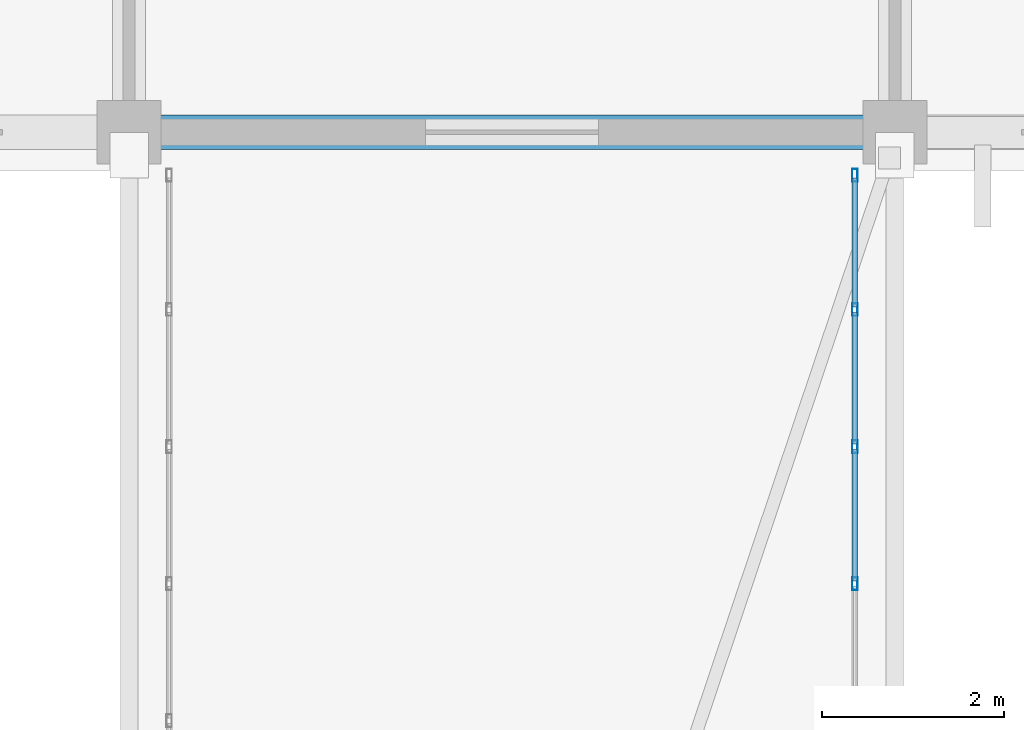
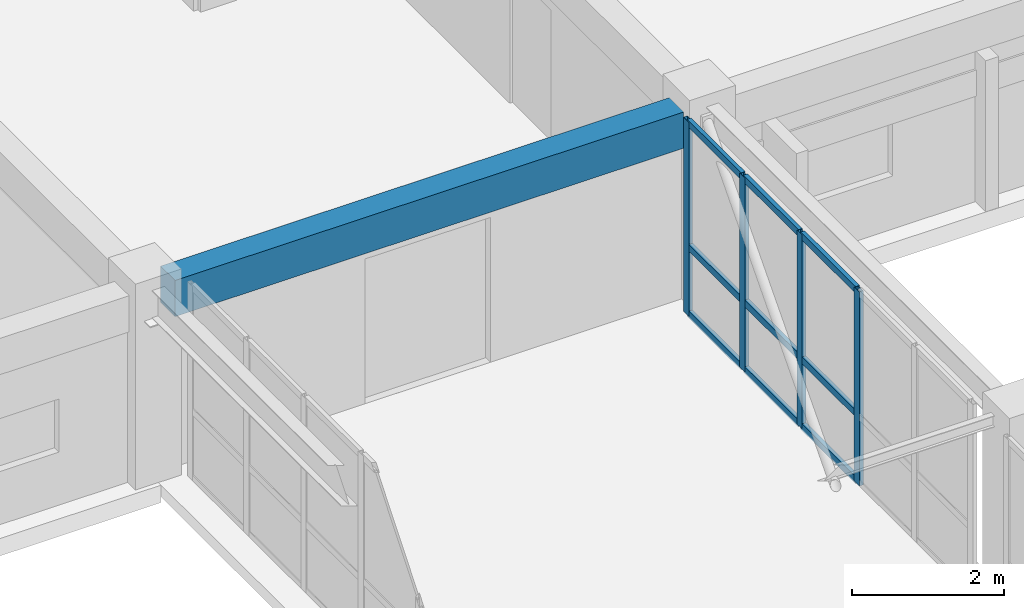
# One storey, part 73 of 148: 13 members, 1 beam, 1 element without a shape of its own.
"""IFC4 building model written with IfcOpenShell, lengths in metres."""

from ifc_helpers import new_model, si_unit, direction, frame, origin, origin_2d, place, context, subcontext, project, spatial, rectangle, hollow_rectangle, extrude, material, layer, layer_set, material_profile, profile_set, type_object, element, aggregate, save


model = new_model("IFC4")

# Units and contexts
model_context = context("Model", 3, precision=1e-05, world=origin(), true_north=direction((0.0, 1.0)))
body_context = subcontext(model_context, "Body", "Model", "MODEL_VIEW")
ifc_project = project(units=[si_unit("LENGTHUNIT", "METRE"), si_unit("AREAUNIT", "SQUARE_METRE"), si_unit("VOLUMEUNIT", "CUBIC_METRE"), si_unit("PLANEANGLEUNIT", "RADIAN"), si_unit("MASSUNIT", "GRAM", prefix="KILO")], contexts=[model_context])

# Site, building, storey
site_placement = place(None, origin())
site = spatial("IfcSite", under=ifc_project, at=site_placement, CompositionType="ELEMENT")
building_placement = place(site_placement, origin())
building = spatial("IfcBuilding", under=site, at=building_placement, Name="Trelvath General Hospital", CompositionType="ELEMENT")
storey_placement = place(building_placement, frame((0.0, 0.0, 12.89990234375)))
storey = spatial("IfcBuildingStorey", under=building, at=storey_placement, Name="L03", CompositionType="ELEMENT", Elevation=12.89990234375)

# Beam
ifc_material_1 = material(Name="Concrete C35/45", Category="concrete")
ifc_material_profile_1 = material_profile(ifc_material_1, rectangle(XDim=0.3798828125, YDim=0.580078125, at=origin_2d()), Name="RCB380x580")
ifc_profile_set_1 = profile_set([ifc_material_profile_1], Name="Concrete C35/45")
beam_type = type_object("IfcBeamType", Name="Beam RC380x580", PredefinedType="BEAM", material=ifc_profile_set_1)
beam_placement = place(storey_placement, frame((75.945068359375, 92.39990234375, 2.72998046875), z_axis=(1.0, 0.0, 0.0), x_axis=(0.0, 1.0, 0.0)))
element("IfcBeam", 1, at=beam_placement, inside=storey, type_object=beam_type, Name="Grid Beam BX-309L", PredefinedType="BEAM", context=body_context, shape_type="SweptSolid", body=[
    extrude(rectangle(XDim=0.3798828125, YDim=0.580078125, at=origin_2d()), origin(), (0.0, 0.0, 1.0), 7.7099609375),
])

# Curtain wall, members
ifc_material_2 = material(Name="Anodised aluminium and low-E glass", Category="aluminium")
ifc_layer = layer(ifc_material_2, 0.139892578125)
ifc_layer_set = layer_set([ifc_layer], Name="Anodised aluminium and low-E glass")
curtain_wall_type = type_object("IfcCurtainWallType", Name="CW Bridge 752 311", PredefinedType="USERDEFINED", material=ifc_layer_set)
curtain_wall_placement = place(storey_placement, origin())
curtain_wall = element("IfcCurtainWall", 2, at=curtain_wall_placement, inside=storey, type_object=curtain_wall_type, Name="Glazed Bridge Curtain Wall BRG-N-C E L03", ObjectType="Unitised Glazed Curtain Wall", PredefinedType="USERDEFINED")
ifc_material_3 = material(Name="Anodised aluminium", Category="aluminium")
ifc_material_profile_2 = material_profile(ifc_material_3, hollow_rectangle(XDim=0.06005859375, YDim=0.139892578125, WallThickness=0.00390625, at=origin_2d()), Name="RHS60x140x4")
ifc_profile_set_2 = profile_set([ifc_material_profile_2], Name="Anodised aluminium")
member_type_1 = type_object("IfcMemberType", Name="CurtainMullion 60x140", PredefinedType="MULLION", material=ifc_profile_set_2)
member_1_placement = place(storey_placement, frame((83.56005859375, 91.929931640625, 0.0), z_axis=(0.0, 0.0, 1.0), x_axis=(1.0, 0.0, 0.0)))
member_1 = element("IfcMember", 3, at=member_1_placement, type_object=member_type_1, Name="CW-263 mullion 1", PredefinedType="MULLION", context=body_context, shape_type="SweptSolid", body=[
    extrude(hollow_rectangle(XDim=0.06005859375, YDim=0.139892578125, WallThickness=0.00390625, at=origin_2d()), origin(), (0.0, 0.0, 1.0), 3.110107421875),
])
member_2_placement = place(storey_placement, frame((83.56005859375, 90.4560546875, 0.0), z_axis=(0.0, 0.0, 1.0), x_axis=(1.0, 0.0, 0.0)))
member_2 = element("IfcMember", 4, at=member_2_placement, type_object=member_type_1, Name="CW-263 mullion 2", PredefinedType="MULLION", context=body_context, shape_type="SweptSolid", body=[
    extrude(hollow_rectangle(XDim=0.06005859375, YDim=0.139892578125, WallThickness=0.00390625, at=origin_2d()), origin(), (0.0, 0.0, 1.0), 3.110107421875),
])
member_3_placement = place(storey_placement, frame((83.56005859375, 88.951904296875, 0.0), z_axis=(0.0, 0.0, 1.0), x_axis=(1.0, 0.0, 0.0)))
member_3 = element("IfcMember", 5, at=member_3_placement, type_object=member_type_1, Name="CW-263 mullion 3", PredefinedType="MULLION", context=body_context, shape_type="SweptSolid", body=[
    extrude(hollow_rectangle(XDim=0.06005859375, YDim=0.139892578125, WallThickness=0.00390625, at=origin_2d()), origin(), (0.0, 0.0, 1.0), 3.110107421875),
])
member_4_placement = place(storey_placement, frame((83.56005859375, 87.447998046875, 0.0), z_axis=(0.0, 0.0, 1.0), x_axis=(1.0, 0.0, 0.0)))
member_4 = element("IfcMember", 6, at=member_4_placement, type_object=member_type_1, Name="CW-263 mullion 4", PredefinedType="MULLION", context=body_context, shape_type="SweptSolid", body=[
    extrude(hollow_rectangle(XDim=0.06005859375, YDim=0.139892578125, WallThickness=0.00390625, at=origin_2d()), origin(), (0.0, 0.0, 1.0), 3.110107421875),
])
ifc_material_4 = material(Name="Anodised aluminium", Category="aluminium")
ifc_material_profile_3 = material_profile(ifc_material_4, hollow_rectangle(XDim=0.06005859375, YDim=0.110107421875, WallThickness=0.00390625, at=origin_2d()), Name="RHS60x110x4")
ifc_profile_set_3 = profile_set([ifc_material_profile_3], Name="Anodised aluminium")
member_type_2 = type_object("IfcMemberType", Name="CurtainTransom 60x110", PredefinedType="USERDEFINED", material=ifc_profile_set_3)
member_5_placement = place(storey_placement, frame((83.56005859375, 91.89990234375, 0.030029296875), z_axis=(0.0, -1.0, 0.0), x_axis=(1.0, 0.0, 0.0)))
member_5 = element("IfcMember", 7, at=member_5_placement, type_object=member_type_2, Name="CW-263 transom 1.1", ObjectType="TRANSOM", PredefinedType="USERDEFINED", context=body_context, shape_type="SweptSolid", body=[
    extrude(hollow_rectangle(XDim=0.06005859375, YDim=0.110107421875, WallThickness=0.00390625, at=origin_2d()), origin(), (0.0, 0.0, 1.0), 1.413818359375),
])
member_6_placement = place(storey_placement, frame((83.56005859375, 91.89990234375, 1.10009765625), z_axis=(0.0, -1.0, 0.0), x_axis=(1.0, 0.0, 0.0)))
member_6 = element("IfcMember", 8, at=member_6_placement, type_object=member_type_2, Name="CW-263 transom 1.2", ObjectType="TRANSOM", PredefinedType="USERDEFINED", context=body_context, shape_type="SweptSolid", body=[
    extrude(hollow_rectangle(XDim=0.06005859375, YDim=0.110107421875, WallThickness=0.00390625, at=origin_2d()), origin(), (0.0, 0.0, 1.0), 1.413818359375),
])
member_7_placement = place(storey_placement, frame((83.56005859375, 91.89990234375, 3.080078125), z_axis=(0.0, -1.0, 0.0), x_axis=(1.0, 0.0, 0.0)))
member_7 = element("IfcMember", 9, at=member_7_placement, type_object=member_type_2, Name="CW-263 transom 1.3", ObjectType="TRANSOM", PredefinedType="USERDEFINED", context=body_context, shape_type="SweptSolid", body=[
    extrude(hollow_rectangle(XDim=0.06005859375, YDim=0.110107421875, WallThickness=0.00390625, at=origin_2d()), origin(), (0.0, 0.0, 1.0), 1.413818359375),
])
member_8_placement = place(storey_placement, frame((83.56005859375, 90.426025390625, 0.030029296875), z_axis=(0.0, -1.0, 0.0), x_axis=(1.0, 0.0, 0.0)))
member_8 = element("IfcMember", 10, at=member_8_placement, type_object=member_type_2, Name="CW-263 transom 2.1", ObjectType="TRANSOM", PredefinedType="USERDEFINED", context=body_context, shape_type="SweptSolid", body=[
    extrude(hollow_rectangle(XDim=0.06005859375, YDim=0.110107421875, WallThickness=0.00390625, at=origin_2d()), origin(), (0.0, 0.0, 1.0), 1.444091796875),
])
member_9_placement = place(storey_placement, frame((83.56005859375, 90.426025390625, 1.10009765625), z_axis=(0.0, -1.0, 0.0), x_axis=(1.0, 0.0, 0.0)))
member_9 = element("IfcMember", 11, at=member_9_placement, type_object=member_type_2, Name="CW-263 transom 2.2", ObjectType="TRANSOM", PredefinedType="USERDEFINED", context=body_context, shape_type="SweptSolid", body=[
    extrude(hollow_rectangle(XDim=0.06005859375, YDim=0.110107421875, WallThickness=0.00390625, at=origin_2d()), origin(), (0.0, 0.0, 1.0), 1.444091796875),
])
member_10_placement = place(storey_placement, frame((83.56005859375, 90.426025390625, 3.080078125), z_axis=(0.0, -1.0, 0.0), x_axis=(1.0, 0.0, 0.0)))
member_10 = element("IfcMember", 12, at=member_10_placement, type_object=member_type_2, Name="CW-263 transom 2.3", ObjectType="TRANSOM", PredefinedType="USERDEFINED", context=body_context, shape_type="SweptSolid", body=[
    extrude(hollow_rectangle(XDim=0.06005859375, YDim=0.110107421875, WallThickness=0.00390625, at=origin_2d()), origin(), (0.0, 0.0, 1.0), 1.444091796875),
])
member_11_placement = place(storey_placement, frame((83.56005859375, 88.922119140625, 0.030029296875), z_axis=(0.0, -1.0, 0.0), x_axis=(1.0, 0.0, 0.0)))
member_11 = element("IfcMember", 13, at=member_11_placement, type_object=member_type_2, Name="CW-263 transom 3.1", ObjectType="TRANSOM", PredefinedType="USERDEFINED", context=body_context, shape_type="SweptSolid", body=[
    extrude(hollow_rectangle(XDim=0.06005859375, YDim=0.110107421875, WallThickness=0.00390625, at=origin_2d()), origin(), (0.0, 0.0, 1.0), 1.444091796875),
])
member_12_placement = place(storey_placement, frame((83.56005859375, 88.922119140625, 1.10009765625), z_axis=(0.0, -1.0, 0.0), x_axis=(1.0, 0.0, 0.0)))
member_12 = element("IfcMember", 14, at=member_12_placement, type_object=member_type_2, Name="CW-263 transom 3.2", ObjectType="TRANSOM", PredefinedType="USERDEFINED", context=body_context, shape_type="SweptSolid", body=[
    extrude(hollow_rectangle(XDim=0.06005859375, YDim=0.110107421875, WallThickness=0.00390625, at=origin_2d()), origin(), (0.0, 0.0, 1.0), 1.444091796875),
])
member_13_placement = place(storey_placement, frame((83.56005859375, 88.922119140625, 3.080078125), z_axis=(0.0, -1.0, 0.0), x_axis=(1.0, 0.0, 0.0)))
member_13 = element("IfcMember", 15, at=member_13_placement, type_object=member_type_2, Name="CW-263 transom 3.3", ObjectType="TRANSOM", PredefinedType="USERDEFINED", context=body_context, shape_type="SweptSolid", body=[
    extrude(hollow_rectangle(XDim=0.06005859375, YDim=0.110107421875, WallThickness=0.00390625, at=origin_2d()), origin(), (0.0, 0.0, 1.0), 1.444091796875),
])
aggregate(curtain_wall, [member_1, member_2, member_3, member_4, member_5, member_6, member_7, member_8, member_9, member_10, member_11, member_12, member_13])

save(model, "model.ifc")
